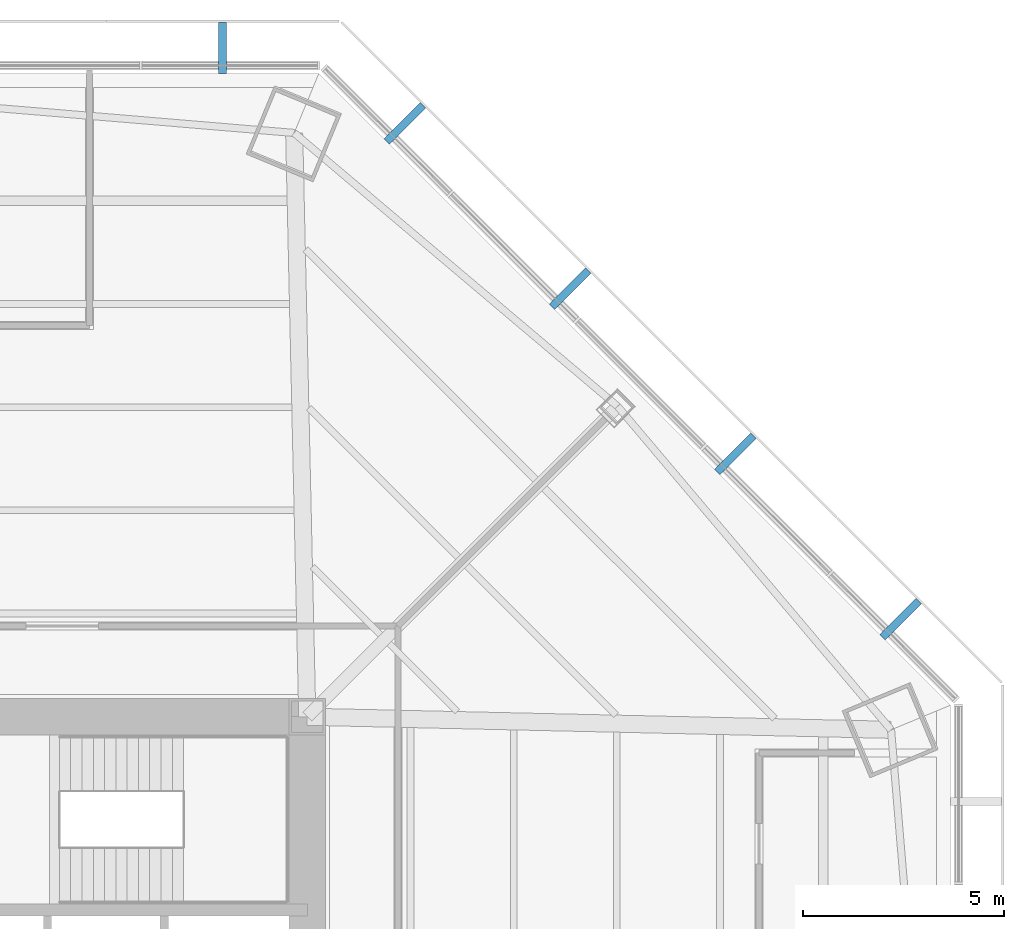
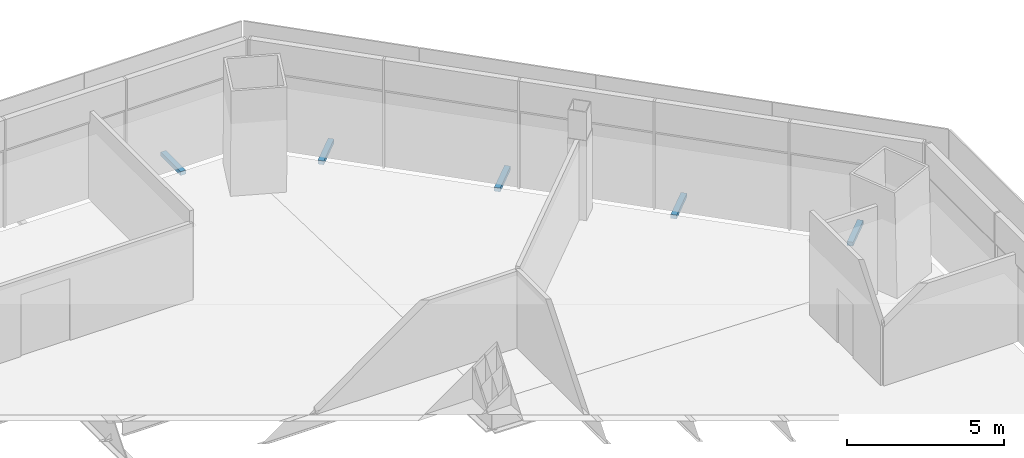
# One storey, part 12 of 15: 5 discrete accessories.
"""IFC4 building model written with IfcOpenShell, lengths in metres."""

from ifc_helpers import new_model, si_unit, direction, frame, origin, origin_2d, place, context, subcontext, project, spatial, rectangle, extrude, source, transform, mapped, material, type_object, type_shapes, element, save


model = new_model("IFC4")

# Units and contexts
model_context = context("Model", 3, precision=1e-05, world=origin(), true_north=direction((0.0, 1.0)))
body_context = subcontext(model_context, "Body", "Model", "MODEL_VIEW")
ifc_project = project(units=[si_unit("LENGTHUNIT", "METRE"), si_unit("AREAUNIT", "SQUARE_METRE"), si_unit("VOLUMEUNIT", "CUBIC_METRE"), si_unit("PLANEANGLEUNIT", "RADIAN"), si_unit("MASSUNIT", "GRAM", prefix="KILO")], contexts=[model_context])

# Site, building, storey
site_placement = place(None, origin())
site = spatial("IfcSite", under=ifc_project, at=site_placement, CompositionType="ELEMENT")
building_placement = place(site_placement, origin())
building = spatial("IfcBuilding", under=site, at=building_placement, Name="Mashrafa Tower", CompositionType="ELEMENT")
storey_placement = place(building_placement, frame((0.0, 0.0, 37.199951171875)))
storey = spatial("IfcBuildingStorey", under=building, at=storey_placement, Name="L07", CompositionType="ELEMENT", Elevation=37.199951171875)

# Discrete accessories
ifc_material = material(Name="Stainless steel screen bracket", Category="steel")
discrete_accessory_type = type_object("IfcDiscreteAccessoryType", Name="Screen support bracket 200 x 150", PredefinedType="BRACKET", material=ifc_material)
shared_shape = source(origin(), body_context, "Body", "SweptSolid", [
    extrude(rectangle(XDim=0.199951171875, YDim=1.27001953125, at=origin_2d()), origin(), (0.0, 0.0, 1.0), 0.14990234375),
])
type_shapes(discrete_accessory_type, [shared_shape])
for number, where, z_axis, x_axis, name in (
    (1, (25.525390625, 13.22021484375, -0.14990234375), (0.0, 0.0, 1.0), (-0.707106781187, 0.707106781187, 0.0), "Screen support bracket L07 north-east 1"),
    (2, (21.423828125, 17.322021484375, -0.14990234375), (0.0, 0.0, 1.0), (-0.707106781187, 0.707106781187, 0.0), "Screen support bracket L07 north-east 2"),
    (3, (17.322021484375, 21.423828125, -0.14990234375), (0.0, 0.0, 1.0), (-0.707106781187, 0.707106781187, 0.0), "Screen support bracket L07 north-east 3"),
    (4, (13.22021484375, 25.525390625, -0.14990234375), (0.0, 0.0, 1.0), (-0.707106781187, 0.707106781187, 0.0), "Screen support bracket L07 north-east 4"),
    (5, (8.700927734375, 27.3974609375, -0.14990234375), (0.0, 0.0, 1.0), (-1.0, 0.0, 0.0), "Screen support bracket L07 north 1"),
):
    element("IfcDiscreteAccessory", number, at=place(storey_placement, frame(where, z_axis=z_axis, x_axis=x_axis)), inside=storey, type_object=discrete_accessory_type, Name=name, PredefinedType="BRACKET", context=body_context, shape_type="MappedRepresentation", body=[
        mapped(shared_shape, transform((0.0, 0.0, 0.0))),
    ])

save(model, "model.ifc")
